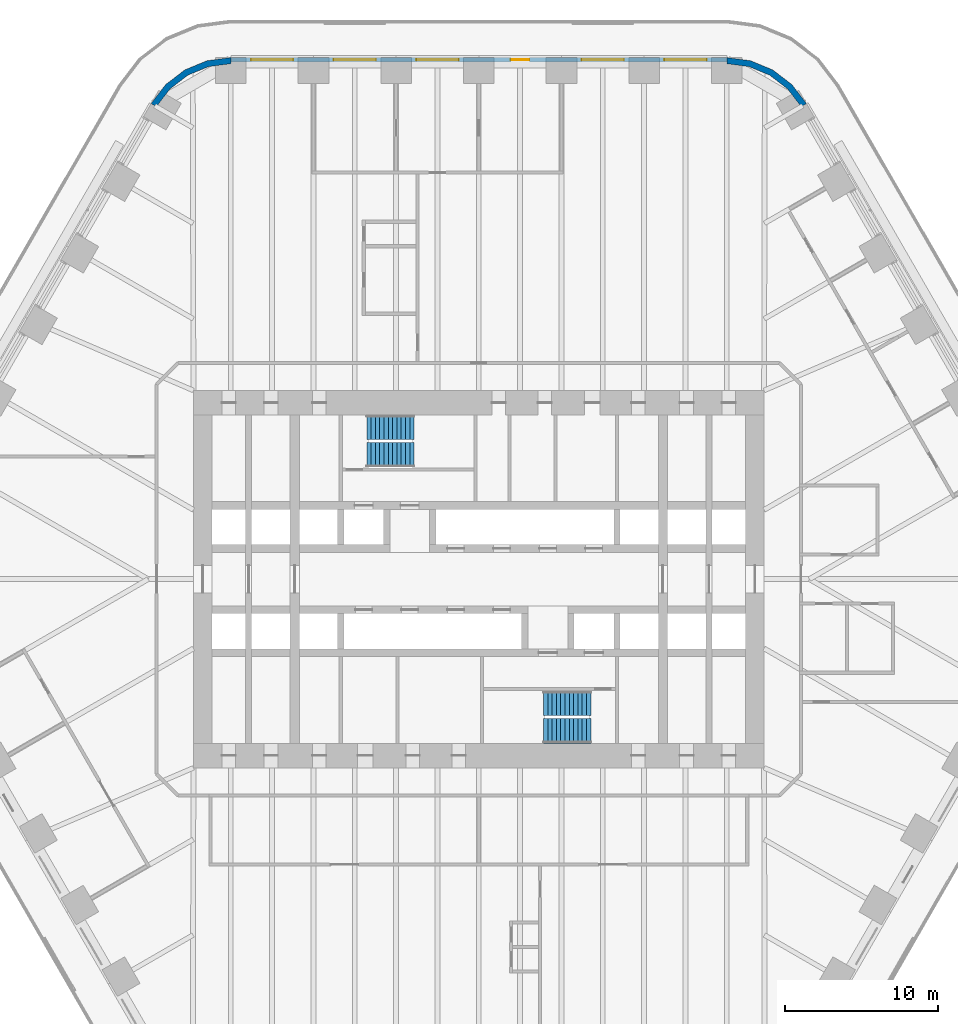
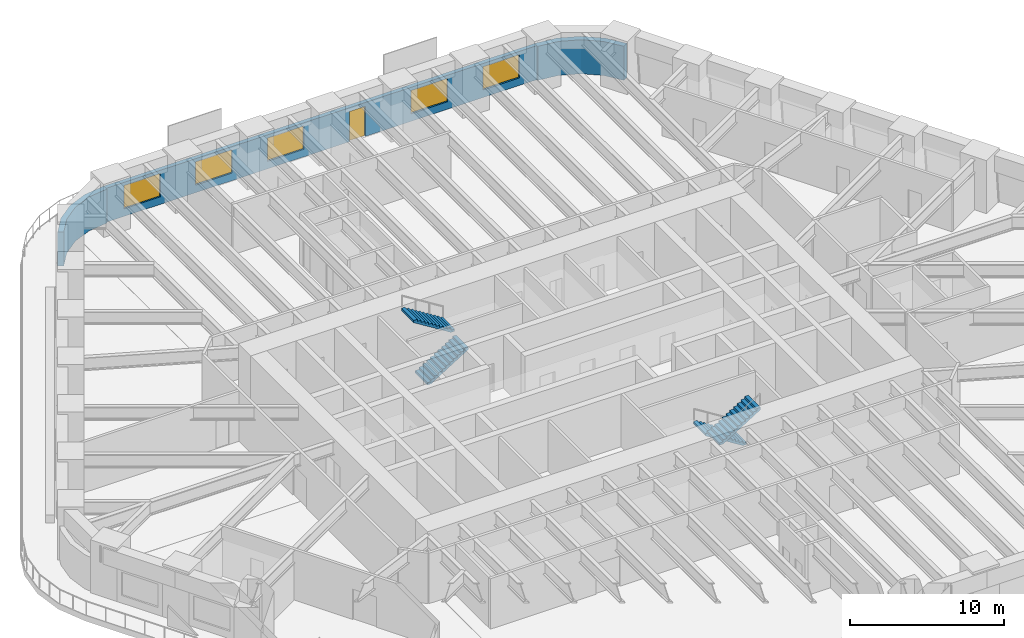
# One storey, part 21 of 24: 5 windows, 4 stair flights, 3 walls, 1 door, 6 openings, 2 elements without a shape of their own.
"""IFC4 building model written with IfcOpenShell, lengths in metres."""

import ifcopenshell
import ifcopenshell.guid

model = None  # the IFC model being written
_history = None  # IfcOwnerHistory: only IFC2X3 demands one
_inside = {}  # id of a spatial element -> (the spatial element, [elements in it])
_under = {}  # id of a project, library or spatial element -> (it, [spatial elements below it])
_declared = {}  # id of a project -> (the project, [libraries it declares])
_typed = {}  # id of a type object -> (the type object, [elements of that type])
_made_of = {}  # id of a material, layer set ... -> (it, [elements and type objects made of it])


def new_model(schema):
    """Start an empty IFC model of exactly this schema.

    Asked for "IFC4X3", IfcOpenShell would pick the latest addendum, in which some entities
    have other attributes; the version numbers below select the first issue.
    IFC2X3 requires an IfcOwnerHistory on every rooted entity: one is made here for all.
    """
    global model, _history
    if schema == "IFC4X3":
        model = ifcopenshell.file(schema_version=(4, 3, 0, 0))
    else:
        model = ifcopenshell.file(schema=schema)
    _inside.clear()
    _under.clear()
    _declared.clear()
    _typed.clear()
    _made_of.clear()
    _history = None
    if model.schema == "IFC2X3":
        org = make("IfcOrganization", Name="unknown")
        user = make(
            "IfcPersonAndOrganization",
            ThePerson=make("IfcPerson", FamilyName="unknown"),
            TheOrganization=org,
        )
        app = make(
            "IfcApplication",
            ApplicationDeveloper=org,
            Version="unknown",
            ApplicationFullName="unknown",
            ApplicationIdentifier="unknown",
        )
        _history = make(
            "IfcOwnerHistory",
            OwningUser=user,
            OwningApplication=app,
            ChangeAction="ADDED",
            CreationDate=0,
        )
    return model


def make(cls, **values):
    """One entity of the class cls with the attributes given. An attribute that is None is left unset."""
    return model.create_entity(
        cls, **{name: value for name, value in values.items() if value is not None}
    )


def rooted(cls, **values):
    """An entity with a GlobalId (a new one), such as an element, a storey or a relation."""
    return make(cls, GlobalId=ifcopenshell.guid.new(), OwnerHistory=_history, **values)


def si_unit(unit_type, name, prefix=None):
    """IfcSIUnit, for example si_unit("LENGTHUNIT", "METRE", prefix="MILLI")."""
    return make("IfcSIUnit", UnitType=unit_type, Prefix=prefix, Name=name)


def assignment(units):
    """IfcUnitAssignment: the units of a project."""
    return None if units is None else make("IfcUnitAssignment", Units=units)


def point(xyz):
    """IfcCartesianPoint."""
    return None if xyz is None else make("IfcCartesianPoint", Coordinates=xyz)


def direction(xyz):
    """IfcDirection."""
    return None if xyz is None else make("IfcDirection", DirectionRatios=xyz)


def frame(location, z_axis=None, x_axis=None):
    """IfcAxis2Placement3D, a coordinate frame: its origin and axes. An axis left out is left unset."""
    return make(
        "IfcAxis2Placement3D",
        Location=point(location),
        Axis=direction(z_axis),
        RefDirection=direction(x_axis),
    )


def frame_2d(location, x_axis=None):
    """IfcAxis2Placement2D, a coordinate frame in the plane: its origin and x axis."""
    return make(
        "IfcAxis2Placement2D", Location=point(location), RefDirection=direction(x_axis)
    )


def origin():
    """The frame at (0, 0, 0) with its axes left unset."""
    return frame((0.0, 0.0, 0.0))


def place(relative_to, where):
    """IfcLocalPlacement: puts the frame where relative to a parent placement (None: the world)."""
    return make(
        "IfcLocalPlacement", PlacementRelTo=relative_to, RelativePlacement=where
    )


def context(
    kind, dimensions, precision=None, world=None, true_north=None, identifier=None
):
    """IfcGeometricRepresentationContext, for example the 3D "Model" context."""
    return make(
        "IfcGeometricRepresentationContext",
        ContextIdentifier=identifier,
        ContextType=kind,
        CoordinateSpaceDimension=dimensions,
        Precision=precision,
        WorldCoordinateSystem=world,
        TrueNorth=true_north,
    )


def subcontext(parent, identifier, kind, view, scale=None):
    """IfcGeometricRepresentationSubContext, for example "Body" below "Model"."""
    return make(
        "IfcGeometricRepresentationSubContext",
        ContextIdentifier=identifier,
        ContextType=kind,
        ParentContext=parent,
        TargetScale=scale,
        TargetView=view,
    )


def project(units=None, contexts=None):
    """IfcProject with its units and contexts."""
    return rooted(
        "IfcProject",
        Name="project",
        RepresentationContexts=contexts,
        UnitsInContext=assignment(units),
    )


def spatial(cls, under=None, at=None, **own):
    """A site, building, storey or space (cls), placed at a placement, below another one or the project."""
    s = rooted(cls, ObjectPlacement=at, **own)
    if under is not None:
        _under.setdefault(under.id(), (under, []))[1].append(s)
    return s


def polyline(points):
    """IfcPolyline through the points."""
    return make("IfcPolyline", Points=[point(p) for p in points])


def profile(cls, at=None, kind="AREA", **sizes):
    """A parametric profile (cls). Its sizes go by their IFC names, for example OverallWidth=200.0."""
    return make(cls, ProfileType=kind, Position=at, **sizes)


def rectangle(**sizes):
    """IfcRectangleProfileDef."""
    return profile("IfcRectangleProfileDef", **sizes)


def outline(outer, holes=None, kind="AREA"):
    """IfcArbitraryClosedProfileDef: a profile drawn as a closed curve; with holes, ...WithVoids."""
    if holes is None:
        return make("IfcArbitraryClosedProfileDef", ProfileType=kind, OuterCurve=outer)
    return make(
        "IfcArbitraryProfileDefWithVoids",
        ProfileType=kind,
        OuterCurve=outer,
        InnerCurves=holes,
    )


def extrude(swept, where, along, depth):
    """IfcExtrudedAreaSolid: the profile swept, set in the frame where, extruded along a direction by depth."""
    return make(
        "IfcExtrudedAreaSolid",
        SweptArea=swept,
        Position=where,
        ExtrudedDirection=direction(along),
        Depth=depth,
    )


def shape(context_of_items, identifier, shape_type, items):
    """IfcShapeRepresentation: the items that make up one representation, for example the "Body"."""
    return make(
        "IfcShapeRepresentation",
        ContextOfItems=context_of_items,
        RepresentationIdentifier=identifier,
        RepresentationType=shape_type,
        Items=items,
    )


def material(Name=None, Category=None):
    """IfcMaterial."""
    return make("IfcMaterial", Name=Name, Category=Category)


def layer(
    of_material, thickness, ventilated=None, Name=None, Category=None, Priority=None
):
    """IfcMaterialLayer: one layer of a wall or slab, of a material (None: an air gap)."""
    return make(
        "IfcMaterialLayer",
        Material=of_material,
        LayerThickness=thickness,
        IsVentilated=ventilated,
        Name=Name,
        Category=Category,
        Priority=Priority,
    )


def layer_set(layers, Name=None):
    """IfcMaterialLayerSet."""
    return make("IfcMaterialLayerSet", MaterialLayers=layers, LayerSetName=Name)


def made_of(thing, what):
    """Note that an element or type object is made of a material, layer set ...; save() writes the relation."""
    if what is not None:
        _made_of.setdefault(what.id(), (what, []))[1].append(thing)
    return thing


def type_object(cls, material=None, **own):
    """A type object (cls), such as IfcWallType, which elements share."""
    return made_of(rooted(cls, **own), material)


def element(
    cls,
    number,
    at=None,
    inside=None,
    cuts=None,
    type_object=None,
    material=None,
    context=None,
    identifier="Body",
    shape_type=None,
    held_by="IfcProductDefinitionShape",
    body=None,
    shapes=None,
    **own,
):
    """One element of the class cls, such as IfcWall. Its Tag is "e" and its number.

    at: its placement. inside: the storey or other place that contains it. cuts: it is an
    opening in that element (IfcRelVoidsElement). A single representation is given by context,
    identifier, shape_type and body (its items); several are given by shapes. held_by: the class
    of the entity that holds the representations. save() writes the other relations.
    """
    e = rooted(cls, Tag="e%d" % number, ObjectPlacement=at, **own)
    if body is not None:
        shapes = [shape(context, identifier, shape_type, body)]
    if shapes is not None:
        e.Representation = make(held_by, Representations=shapes)
    if inside is not None:
        _inside.setdefault(inside.id(), (inside, []))[1].append(e)
    if cuts is not None:
        rooted(
            "IfcRelVoidsElement", RelatingBuildingElement=cuts, RelatedOpeningElement=e
        )
    if type_object is not None:
        _typed.setdefault(type_object.id(), (type_object, []))[1].append(e)
    return made_of(e, material)


def fill(opening, filler):
    """IfcRelFillsElement: the door or window that sits in an opening."""
    return rooted(
        "IfcRelFillsElement",
        RelatingOpeningElement=opening,
        RelatedBuildingElement=filler,
    )


def aggregate(whole, parts):
    """IfcRelAggregates: a whole, such as a stair, and the parts it consists of."""
    return rooted("IfcRelAggregates", RelatingObject=whole, RelatedObjects=parts)


def save(model, path):
    """Write the relations noted so far, then the file.

    IfcRelAggregates (storeys below a building ...), IfcRelContainedInSpatialStructure (elements
    in a storey), IfcRelDefinesByType, IfcRelAssociatesMaterial and IfcRelDeclares: one each for
    every whole, place, type object, material and project.
    """
    for whole, parts in _under.values():
        aggregate(whole, parts)
    for where, things in _inside.values():
        rooted(
            "IfcRelContainedInSpatialStructure",
            RelatedElements=things,
            RelatingStructure=where,
        )
    for kind, things in _typed.values():
        rooted("IfcRelDefinesByType", RelatedObjects=things, RelatingType=kind)
    for what, things in _made_of.values():
        rooted("IfcRelAssociatesMaterial", RelatedObjects=things, RelatingMaterial=what)
    for by, libraries in _declared.values():
        rooted("IfcRelDeclares", RelatingContext=by, RelatedDefinitions=libraries)
    model.write(path)


model = new_model("IFC4")

# Units and contexts
model_context = context("Model", 3, precision=1e-05, world=origin(), true_north=direction((0.0, 1.0)))
body_context = subcontext(model_context, "Body", "Model", "MODEL_VIEW")
ifc_project = project(units=[si_unit("LENGTHUNIT", "METRE"), si_unit("AREAUNIT", "SQUARE_METRE"), si_unit("VOLUMEUNIT", "CUBIC_METRE"), si_unit("PLANEANGLEUNIT", "RADIAN"), si_unit("MASSUNIT", "GRAM", prefix="KILO")], contexts=[model_context])

# Site, building, storey
site_placement = place(None, origin())
site = spatial("IfcSite", under=ifc_project, at=site_placement, CompositionType="ELEMENT")
building_placement = place(site_placement, origin())
building = spatial("IfcBuilding", under=site, at=building_placement, Name="Tarfa Lantern Tower", CompositionType="ELEMENT")
storey_placement = place(building_placement, frame((0.0, 0.0, 65.5)))
storey = spatial("IfcBuildingStorey", under=building, at=storey_placement, Name="L14", CompositionType="ELEMENT", Elevation=65.5)

# Wall, openings, door, windows
ifc_material_1 = material(Name="Limestone cladding on blockwork", Category="masonry")
ifc_layer_1 = layer(ifc_material_1, 0.300048828125)
ifc_layer_set_1 = layer_set([ifc_layer_1], Name="EW1 STONE-CLAD WALL 300")
wall_type_1 = type_object("IfcWallType", Name="EW1 STONE-CLAD WALL 300", PredefinedType="SOLIDWALL", material=ifc_layer_set_1)
wall_1_placement = place(storey_placement, frame((16.165771484375, 33.85009765625, 0.0), z_axis=(0.0, 0.0, 1.0), x_axis=(-1.0, 0.0, 0.0)))
wall_1 = element("IfcWall", 1, at=wall_1_placement, inside=storey, type_object=wall_type_1, Name="Stone wall N", PredefinedType="SOLIDWALL", context=body_context, shape_type="SweptSolid", body=[
    extrude(rectangle(XDim=32.33154296875, YDim=0.300048828125, at=frame_2d((16.165771484375, 0.0))), origin(), (0.0, 0.0, 1.0), 2.699951171875),
])
opening_1_placement = place(wall_1_placement, frame((1.3193359375, 0.0, 0.60009765625)))
opening_1 = element("IfcOpeningElement", 2, at=opening_1_placement, cuts=wall_1, Name="Opening W2", PredefinedType="OPENING", context=body_context, shape_type="SweptSolid", body=[
    extrude(rectangle(XDim=2.75, YDim=1.85009765625, at=frame_2d((1.375, 0.925048828125))), frame((0.0, 0.159912109375, 0.0), z_axis=(0.0, -1.0, 0.0), x_axis=(1.0, 0.0, 0.0)), (0.0, 0.0, 1.0), 0.320068359375),
])
opening_2_placement = place(wall_1_placement, frame((6.7080078125, 0.0, 0.60009765625)))
opening_2 = element("IfcOpeningElement", 3, at=opening_2_placement, cuts=wall_1, Name="Opening W2", PredefinedType="OPENING", context=body_context, shape_type="SweptSolid", body=[
    extrude(rectangle(XDim=2.75, YDim=1.85009765625, at=frame_2d((1.375, 0.925048828125))), frame((0.0, 0.159912109375, 0.0), z_axis=(0.0, -1.0, 0.0), x_axis=(1.0, 0.0, 0.0)), (0.0, 0.0, 1.0), 0.320068359375),
])
opening_3_placement = place(wall_1_placement, frame((12.87158203125, 0.0, 0.0)))
opening_3 = element("IfcOpeningElement", 4, at=opening_3_placement, cuts=wall_1, Name="Opening D54", PredefinedType="OPENING", context=body_context, shape_type="SweptSolid", body=[
    extrude(rectangle(XDim=1.199951171875, YDim=2.39990234375, at=frame_2d((0.60009765625, 1.199951171875))), frame((0.0, 0.159912109375, 0.0), z_axis=(0.0, -1.0, 0.0), x_axis=(1.0, 0.0, 0.0)), (0.0, 0.0, 1.0), 0.320068359375),
])
opening_4_placement = place(wall_1_placement, frame((17.485107421875, 0.0, 0.60009765625)))
opening_4 = element("IfcOpeningElement", 5, at=opening_4_placement, cuts=wall_1, Name="Opening W2", PredefinedType="OPENING", context=body_context, shape_type="SweptSolid", body=[
    extrude(rectangle(XDim=2.75, YDim=1.85009765625, at=frame_2d((1.375, 0.925048828125))), frame((0.0, 0.159912109375, 0.0), z_axis=(0.0, -1.0, 0.0), x_axis=(1.0, 0.0, 0.0)), (0.0, 0.0, 1.0), 0.320068359375),
])
opening_5_placement = place(wall_1_placement, frame((22.873779296875, 0.0, 0.60009765625)))
opening_5 = element("IfcOpeningElement", 6, at=opening_5_placement, cuts=wall_1, Name="Opening W2", PredefinedType="OPENING", context=body_context, shape_type="SweptSolid", body=[
    extrude(rectangle(XDim=2.75, YDim=1.85009765625, at=frame_2d((1.375, 0.925048828125))), frame((0.0, 0.159912109375, 0.0), z_axis=(0.0, -1.0, 0.0), x_axis=(1.0, 0.0, 0.0)), (0.0, 0.0, 1.0), 0.320068359375),
])
opening_6_placement = place(wall_1_placement, frame((28.26220703125, 0.0, 0.60009765625)))
opening_6 = element("IfcOpeningElement", 7, at=opening_6_placement, cuts=wall_1, Name="Opening W2", PredefinedType="OPENING", context=body_context, shape_type="SweptSolid", body=[
    extrude(rectangle(XDim=2.75, YDim=1.85009765625, at=frame_2d((1.375, 0.925048828125))), frame((0.0, 0.159912109375, 0.0), z_axis=(0.0, -1.0, 0.0), x_axis=(1.0, 0.0, 0.0)), (0.0, 0.0, 1.0), 0.320068359375),
])
ifc_material_2 = material(Name="Aluminium framed glazed door", Category="aluminium")
door_type = type_object("IfcDoorType", Name="BE3 BALCONY DOOR 1200x2400", OperationType="SINGLE_SWING_RIGHT", PredefinedType="DOOR", material=ifc_material_2)
door_placement = place(opening_3_placement, origin())
door = element("IfcDoor", 8, at=door_placement, inside=storey, type_object=door_type, Name="Balcony door N", OperationType="SINGLE_SWING_RIGHT", OverallHeight=2.39990234375, OverallWidth=1.199951171875, PredefinedType="DOOR", context=body_context, shape_type="SweptSolid", body=[
    extrude(rectangle(XDim=1.199951171875, YDim=2.39990234375, at=frame_2d((0.60009765625, 1.199951171875))), frame((0.0, 0.02490234375, 0.0), z_axis=(0.0, -1.0, 0.0), x_axis=(1.0, 0.0, 0.0)), (0.0, 0.0, 1.0), 0.050048828125),
])
fill(opening_3, door)
ifc_material_3 = material(Name="Aluminium frame, double glazed", Category="aluminium")
window_type = type_object("IfcWindowType", Name="W2 FULL-HEIGHT GLAZING 2750x1850", PartitioningType="SINGLE_PANEL", PredefinedType="WINDOW", material=ifc_material_3)
window_1_placement = place(opening_1_placement, origin())
window_1 = element("IfcWindow", 9, at=window_1_placement, inside=storey, type_object=window_type, Name="Window N 1", OverallHeight=1.85009765625, OverallWidth=2.75, PartitioningType="SINGLE_PANEL", PredefinedType="WINDOW", context=body_context, shape_type="SweptSolid", body=[
    extrude(rectangle(XDim=2.75, YDim=1.85009765625, at=frame_2d((1.375, 0.925048828125))), frame((0.0, 0.030029296875, 0.0), z_axis=(0.0, -1.0, 0.0), x_axis=(1.0, 0.0, 0.0)), (0.0, 0.0, 1.0), 0.06005859375),
])
fill(opening_1, window_1)
window_2_placement = place(opening_2_placement, origin())
window_2 = element("IfcWindow", 10, at=window_2_placement, inside=storey, type_object=window_type, Name="Window N 2", OverallHeight=1.85009765625, OverallWidth=2.75, PartitioningType="SINGLE_PANEL", PredefinedType="WINDOW", context=body_context, shape_type="SweptSolid", body=[
    extrude(rectangle(XDim=2.75, YDim=1.85009765625, at=frame_2d((1.375, 0.925048828125))), frame((0.0, 0.030029296875, 0.0), z_axis=(0.0, -1.0, 0.0), x_axis=(1.0, 0.0, 0.0)), (0.0, 0.0, 1.0), 0.06005859375),
])
fill(opening_2, window_2)
window_3_placement = place(opening_4_placement, origin())
window_3 = element("IfcWindow", 11, at=window_3_placement, inside=storey, type_object=window_type, Name="Window N 4", OverallHeight=1.85009765625, OverallWidth=2.75, PartitioningType="SINGLE_PANEL", PredefinedType="WINDOW", context=body_context, shape_type="SweptSolid", body=[
    extrude(rectangle(XDim=2.75, YDim=1.85009765625, at=frame_2d((1.375, 0.925048828125))), frame((0.0, 0.030029296875, 0.0), z_axis=(0.0, -1.0, 0.0), x_axis=(1.0, 0.0, 0.0)), (0.0, 0.0, 1.0), 0.06005859375),
])
fill(opening_4, window_3)
window_4_placement = place(opening_5_placement, origin())
window_4 = element("IfcWindow", 12, at=window_4_placement, inside=storey, type_object=window_type, Name="Window N 5", OverallHeight=1.85009765625, OverallWidth=2.75, PartitioningType="SINGLE_PANEL", PredefinedType="WINDOW", context=body_context, shape_type="SweptSolid", body=[
    extrude(rectangle(XDim=2.75, YDim=1.85009765625, at=frame_2d((1.375, 0.925048828125))), frame((0.0, 0.030029296875, 0.0), z_axis=(0.0, -1.0, 0.0), x_axis=(1.0, 0.0, 0.0)), (0.0, 0.0, 1.0), 0.06005859375),
])
fill(opening_5, window_4)
window_5_placement = place(opening_6_placement, origin())
window_5 = element("IfcWindow", 13, at=window_5_placement, inside=storey, type_object=window_type, Name="Window N 6", OverallHeight=1.85009765625, OverallWidth=2.75, PartitioningType="SINGLE_PANEL", PredefinedType="WINDOW", context=body_context, shape_type="SweptSolid", body=[
    extrude(rectangle(XDim=2.75, YDim=1.85009765625, at=frame_2d((1.375, 0.925048828125))), frame((0.0, 0.030029296875, 0.0), z_axis=(0.0, -1.0, 0.0), x_axis=(1.0, 0.0, 0.0)), (0.0, 0.0, 1.0), 0.06005859375),
])
fill(opening_6, window_5)

# Walls
ifc_layer_2 = layer(ifc_material_1, 0.39990234375)
ifc_layer_set_2 = layer_set([ifc_layer_2], Name="EW2 CURVED STONE CORNER 400")
wall_type_2 = type_object("IfcWallType", Name="EW2 CURVED STONE CORNER 400", PredefinedType="SOLIDWALL", material=ifc_layer_set_2)
wall_2_placement = place(storey_placement, origin())
element("IfcWall", 14, at=wall_2_placement, inside=storey, type_object=wall_type_2, Name="Stone corner NE-N", PredefinedType="SOLIDWALL", context=body_context, shape_type="SweptSolid", body=[
    extrude(outline(polyline([(21.362060546875, 31.0), (20.408447265625, 32.24267578125), (19.165771484375, 33.196044921875), (17.71875, 33.795654296875), (16.165771484375, 34.0), (16.165771484375, 33.60009765625), (17.615234375, 33.4091796875), (18.9658203125, 32.849853515625), (20.12548828125, 31.959716796875), (21.015625, 30.800048828125), (21.362060546875, 31.0)])), origin(), (0.0, 0.0, 1.0), 2.699951171875),
])
wall_3_placement = place(storey_placement, origin())
element("IfcWall", 15, at=wall_3_placement, inside=storey, type_object=wall_type_2, Name="Stone corner N-NW", PredefinedType="SOLIDWALL", context=body_context, shape_type="SweptSolid", body=[
    extrude(outline(polyline([(-16.165771484375, 34.0), (-17.71875, 33.795654296875), (-19.165771484375, 33.196044921875), (-20.408447265625, 32.24267578125), (-21.362060546875, 31.0), (-21.015625, 30.800048828125), (-20.12548828125, 31.959716796875), (-18.9658203125, 32.849853515625), (-17.615234375, 33.4091796875), (-16.165771484375, 33.60009765625), (-16.165771484375, 34.0)])), origin(), (0.0, 0.0, 1.0), 2.699951171875),
])

# Stair, stair flights
ifc_material_4 = material(Name="Concrete C40/50", Category="concrete")
stair_type = type_object("IfcStairType", Name="ST-T10 HALF-TURN STAIR 4200 RISE", PredefinedType="HALF_TURN_STAIR", material=ifc_material_4)
stair_1_placement = place(storey_placement, origin())
stair_1 = element("IfcStair", 16, at=stair_1_placement, inside=storey, type_object=stair_type, Name="Stair ST1", PredefinedType="HALF_TURN_STAIR")
stair_flight_type = type_object("IfcStairFlightType", Name="SF1 STAIR FLIGHT", PredefinedType="STRAIGHT", material=ifc_material_4)
stair_flight_1_placement = place(storey_placement, frame((-7.300048828125, 8.10009765625, 0.0), z_axis=(0.0, 0.0, 1.0), x_axis=(1.0, 0.0, 0.0)))
stair_flight_1 = element("IfcStairFlight", 17, at=stair_flight_1_placement, type_object=stair_flight_type, Name="ST1 flight 1", NumberOfRisers=12, NumberOfTreads=11, PredefinedType="STRAIGHT", RiserHeight=0.175, TreadLength=0.28, context=body_context, shape_type="SweptSolid", body=[
    extrude(outline(polyline([(0.0, 0.0), (0.0, 0.175048828125), (0.280029296875, 0.175048828125), (0.280029296875, 0.35009765625), (0.56005859375, 0.35009765625), (0.56005859375, 0.52490234375), (0.840087890625, 0.52490234375), (0.840087890625, 0.699951171875), (1.1201171875, 0.699951171875), (1.1201171875, 0.875), (1.39990234375, 0.875), (1.39990234375, 1.050048828125), (1.679931640625, 1.050048828125), (1.679931640625, 1.22509765625), (1.9599609375, 1.22509765625), (1.9599609375, 1.39990234375), (2.239990234375, 1.39990234375), (2.239990234375, 1.574951171875), (2.52001953125, 1.574951171875), (2.52001953125, 1.75), (2.800048828125, 1.75), (2.800048828125, 1.925048828125), (3.080078125, 1.925048828125), (3.080078125, 2.10009765625), (3.080078125, 1.748291015625), (0.28271484375, 0.0), (0.0, 0.0)])), frame((0.0, 0.800048828125, 0.0), z_axis=(0.0, -1.0, 0.0), x_axis=(1.0, 0.0, 0.0)), (0.0, 0.0, 1.0), 1.60009765625),
])
stair_flight_2_placement = place(storey_placement, frame((-4.219970703125, 9.89990234375, 2.10009765625), z_axis=(0.0, 0.0, 1.0), x_axis=(-1.0, 0.0, 0.0)))
stair_flight_2 = element("IfcStairFlight", 18, at=stair_flight_2_placement, type_object=stair_flight_type, Name="ST1 flight 2", NumberOfRisers=12, NumberOfTreads=11, PredefinedType="STRAIGHT", RiserHeight=0.175, TreadLength=0.28, context=body_context, shape_type="SweptSolid", body=[
    extrude(outline(polyline([(0.0, 0.0), (0.0, 0.175048828125), (0.280029296875, 0.175048828125), (0.280029296875, 0.35009765625), (0.56005859375, 0.35009765625), (0.56005859375, 0.52490234375), (0.840087890625, 0.52490234375), (0.840087890625, 0.699951171875), (1.1201171875, 0.699951171875), (1.1201171875, 0.875), (1.39990234375, 0.875), (1.39990234375, 1.050048828125), (1.679931640625, 1.050048828125), (1.679931640625, 1.22509765625), (1.9599609375, 1.22509765625), (1.9599609375, 1.39990234375), (2.239990234375, 1.39990234375), (2.239990234375, 1.574951171875), (2.52001953125, 1.574951171875), (2.52001953125, 1.75), (2.800048828125, 1.75), (2.800048828125, 1.925048828125), (3.080078125, 1.925048828125), (3.080078125, 2.10009765625), (3.080078125, 1.748291015625), (0.28271484375, 0.0), (0.0, 0.0)])), frame((0.0, 0.800048828125, 0.0), z_axis=(0.0, -1.0, 0.0), x_axis=(1.0, 0.0, 0.0)), (0.0, 0.0, 1.0), 1.60009765625),
])
aggregate(stair_1, [stair_flight_1, stair_flight_2])

stair_2_placement = place(storey_placement, origin())
stair_2 = element("IfcStair", 19, at=stair_2_placement, inside=storey, type_object=stair_type, Name="Stair ST2", PredefinedType="HALF_TURN_STAIR")
stair_flight_3_placement = place(storey_placement, frame((7.300048828125, -8.10009765625, 0.0), z_axis=(0.0, 0.0, 1.0), x_axis=(-1.0, 0.0, 0.0)))
stair_flight_3 = element("IfcStairFlight", 20, at=stair_flight_3_placement, type_object=stair_flight_type, Name="ST2 flight 1", NumberOfRisers=12, NumberOfTreads=11, PredefinedType="STRAIGHT", RiserHeight=0.175, TreadLength=0.28, context=body_context, shape_type="SweptSolid", body=[
    extrude(outline(polyline([(0.0, 0.0), (0.0, 0.175048828125), (0.280029296875, 0.175048828125), (0.280029296875, 0.35009765625), (0.56005859375, 0.35009765625), (0.56005859375, 0.52490234375), (0.840087890625, 0.52490234375), (0.840087890625, 0.699951171875), (1.1201171875, 0.699951171875), (1.1201171875, 0.875), (1.39990234375, 0.875), (1.39990234375, 1.050048828125), (1.679931640625, 1.050048828125), (1.679931640625, 1.22509765625), (1.9599609375, 1.22509765625), (1.9599609375, 1.39990234375), (2.239990234375, 1.39990234375), (2.239990234375, 1.574951171875), (2.52001953125, 1.574951171875), (2.52001953125, 1.75), (2.800048828125, 1.75), (2.800048828125, 1.925048828125), (3.080078125, 1.925048828125), (3.080078125, 2.10009765625), (3.080078125, 1.748291015625), (0.28271484375, 0.0), (0.0, 0.0)])), frame((0.0, 0.800048828125, 0.0), z_axis=(0.0, -1.0, 0.0), x_axis=(1.0, 0.0, 0.0)), (0.0, 0.0, 1.0), 1.60009765625),
])
stair_flight_4_placement = place(storey_placement, frame((4.219970703125, -9.89990234375, 2.10009765625), z_axis=(0.0, 0.0, 1.0), x_axis=(1.0, 0.0, 0.0)))
stair_flight_4 = element("IfcStairFlight", 21, at=stair_flight_4_placement, type_object=stair_flight_type, Name="ST2 flight 2", NumberOfRisers=12, NumberOfTreads=11, PredefinedType="STRAIGHT", RiserHeight=0.175, TreadLength=0.28, context=body_context, shape_type="SweptSolid", body=[
    extrude(outline(polyline([(0.0, 0.0), (0.0, 0.175048828125), (0.280029296875, 0.175048828125), (0.280029296875, 0.35009765625), (0.56005859375, 0.35009765625), (0.56005859375, 0.52490234375), (0.840087890625, 0.52490234375), (0.840087890625, 0.699951171875), (1.1201171875, 0.699951171875), (1.1201171875, 0.875), (1.39990234375, 0.875), (1.39990234375, 1.050048828125), (1.679931640625, 1.050048828125), (1.679931640625, 1.22509765625), (1.9599609375, 1.22509765625), (1.9599609375, 1.39990234375), (2.239990234375, 1.39990234375), (2.239990234375, 1.574951171875), (2.52001953125, 1.574951171875), (2.52001953125, 1.75), (2.800048828125, 1.75), (2.800048828125, 1.925048828125), (3.080078125, 1.925048828125), (3.080078125, 2.10009765625), (3.080078125, 1.748291015625), (0.28271484375, 0.0), (0.0, 0.0)])), frame((0.0, 0.800048828125, 0.0), z_axis=(0.0, -1.0, 0.0), x_axis=(1.0, 0.0, 0.0)), (0.0, 0.0, 1.0), 1.60009765625),
])
aggregate(stair_2, [stair_flight_3, stair_flight_4])

save(model, "model.ifc")
